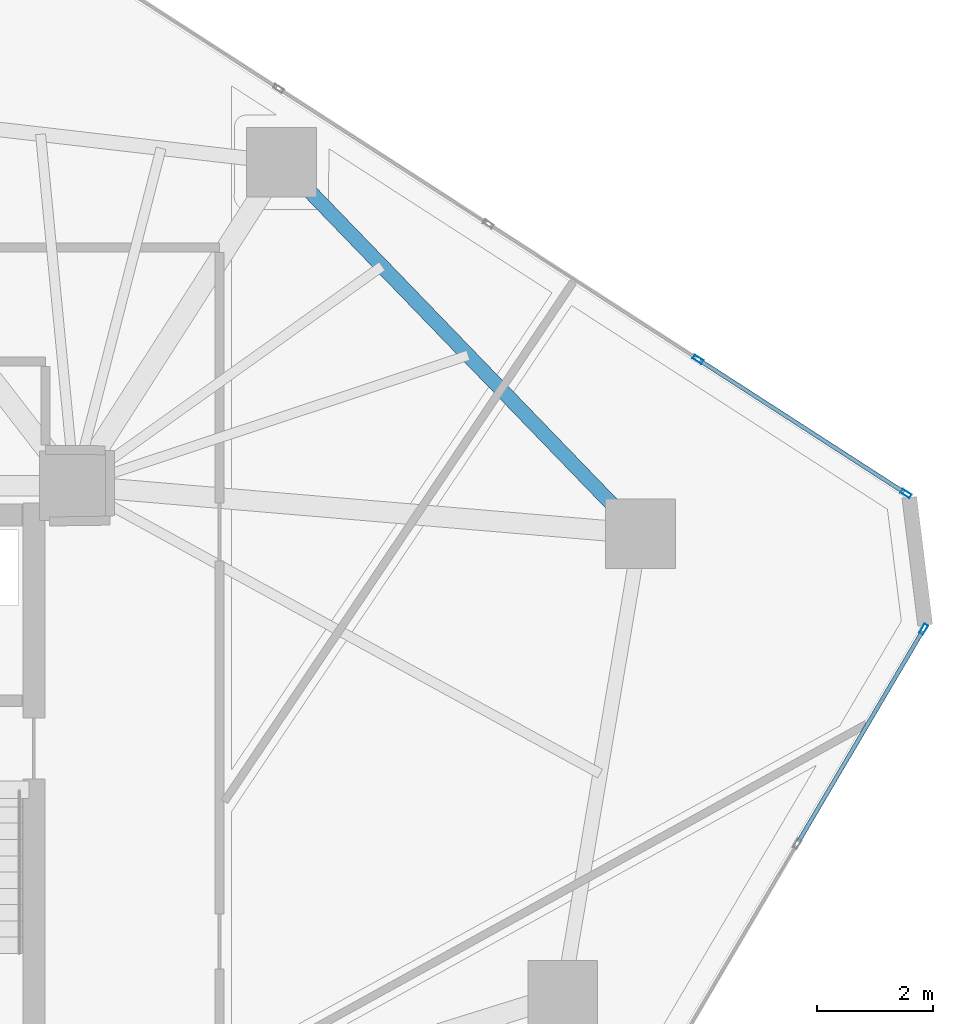
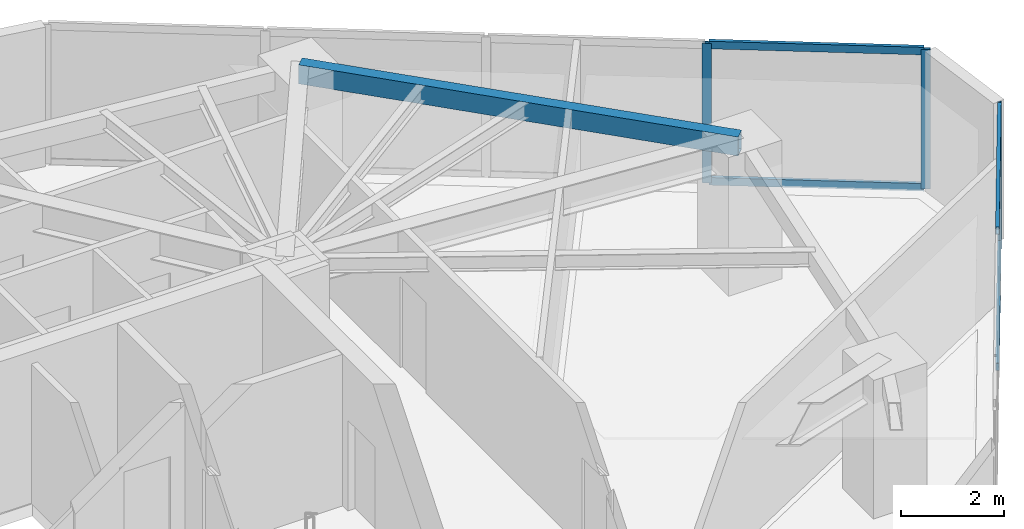
# One storey, part 11 of 20: 7 members, 1 beam, 2 elements without a shape of their own.
"""IFC4 building model written with IfcOpenShell, lengths in metres."""

from ifc_helpers import new_model, si_unit, direction, frame, origin, origin_2d, place, context, subcontext, project, spatial, hollow_rectangle, extrude, source, transform, mapped, material, layer, layer_set, material_profile, profile_set, type_object, type_shapes, element, aggregate, save


model = new_model("IFC4")

# Units and contexts
model_context = context("Model", 3, precision=1e-05, world=origin(), true_north=direction((0.0, 1.0)))
body_context = subcontext(model_context, "Body", "Model", "MODEL_VIEW")
ifc_project = project(units=[si_unit("LENGTHUNIT", "METRE"), si_unit("AREAUNIT", "SQUARE_METRE"), si_unit("VOLUMEUNIT", "CUBIC_METRE"), si_unit("PLANEANGLEUNIT", "RADIAN"), si_unit("MASSUNIT", "GRAM", prefix="KILO")], contexts=[model_context])

# Site, building, storey
site_placement = place(None, origin())
site = spatial("IfcSite", under=ifc_project, at=site_placement, CompositionType="ELEMENT")
building_placement = place(site_placement, origin())
building = spatial("IfcBuilding", under=site, at=building_placement, Name="Talar Marvaseh", CompositionType="ELEMENT")
storey_placement = place(building_placement, frame((0.0, 0.0, 136.199951171875)))
storey = spatial("IfcBuildingStorey", under=building, at=storey_placement, Name="L35", CompositionType="ELEMENT", Elevation=136.199951171875)

# Beam
ifc_material_1 = material(Name="Steel S355", Category="steel")
ifc_material_profile_1 = material_profile(ifc_material_1, hollow_rectangle(XDim=0.25, YDim=0.449951171875, WallThickness=0.01611328125, at=origin_2d()), Name="RHS450x250x16")
ifc_profile_set_1 = profile_set([ifc_material_profile_1], Name="Steel S355")
beam_type = type_object("IfcBeamType", Name="Zone 2 Perimeter Spandrel Beam RHS450x250x16", PredefinedType="SPANDREL", material=ifc_profile_set_1)
beam_placement = place(storey_placement, frame((36.865966796875, 42.470947265625, 3.0849609375), z_axis=(0.694796856243, -0.719206040405, 0.0), x_axis=(0.719206040405, 0.694796856243, 0.0)))
element("IfcBeam", 1, at=beam_placement, inside=storey, type_object=beam_type, Name="L35 Zone 2 Perimeter Spandrel Beam RHS450x250x16", PredefinedType="SPANDREL", context=body_context, shape_type="SweptSolid", body=[
    extrude(hollow_rectangle(XDim=0.25, YDim=0.449951171875, WallThickness=0.01611328125, at=origin_2d()), origin(), (0.0, 0.0, 1.0), 8.891845703125),
])

# Curtain wall, members
ifc_material_2 = material(Name="Architectural Aluminium", Category="aluminium")
ifc_layer = layer(ifc_material_2, 0.199951171875)
ifc_layer_set = layer_set([ifc_layer], Name="Architectural Aluminium")
curtain_wall_type = type_object("IfcCurtainWallType", Name="Unitised Acoustic Library Curtain Wall Z2", PredefinedType="NOTDEFINED", material=ifc_layer_set)
curtain_wall_1_placement = place(storey_placement, origin())
curtain_wall_1 = element("IfcCurtainWall", 2, at=curtain_wall_1_placement, inside=storey, type_object=curtain_wall_type, Name="L35 Unitised Acoustic Library Curtain Wall Z2", PredefinedType="NOTDEFINED")
ifc_material_profile_2 = material_profile(ifc_material_2, hollow_rectangle(XDim=0.074951171875, YDim=0.179931640625, WallThickness=0.0048828125, at=origin_2d()), Name="RHS180x75x5")
ifc_profile_set_2 = profile_set([ifc_material_profile_2], Name="Architectural Aluminium")
member_type_1 = type_object("IfcMemberType", Name="Unitised Curtain Wall Standard Mullion RHS180x75x5", PredefinedType="MULLION", material=ifc_profile_set_2)
shared_shape_1 = source(origin(), body_context, "Body", "SweptSolid", [
    extrude(hollow_rectangle(XDim=0.074951171875, YDim=0.179931640625, WallThickness=0.0048828125, at=origin_2d()), origin(), (0.0, 0.0, 1.0), 3.31005859375),
])
type_shapes(member_type_1, [shared_shape_1])
member_1_placement = place(storey_placement, frame((44.036376953125, 39.075439453125, 0.0), z_axis=(0.0, 0.0, 1.0), x_axis=(0.542385863972, 0.840129498686, 0.0)))
member_1 = element("IfcMember", 3, at=member_1_placement, type_object=member_type_1, Name="CW-Z2 mullion 4", PredefinedType="MULLION", context=body_context, shape_type="MappedRepresentation", body=[
    mapped(shared_shape_1, transform((0.0, 0.0, 0.0), x_axis=(1.0, 0.0, 0.0), y_axis=(0.0, 1.0, 0.0), z_axis=(0.0, 0.0, 1.0), scale=1.0)),
])
member_2_placement = place(storey_placement, frame((47.61572265625, 36.7646484375, 0.0), z_axis=(0.0, 0.0, 1.0), x_axis=(0.542385863972, 0.840129498686, 0.0)))
member_2 = element("IfcMember", 4, at=member_2_placement, type_object=member_type_1, Name="CW-Z2 mullion 5", PredefinedType="MULLION", context=body_context, shape_type="MappedRepresentation", body=[
    mapped(shared_shape_1, transform((0.0, 0.0, 0.0), x_axis=(1.0, 0.0, 0.0), y_axis=(0.0, 1.0, 0.0), z_axis=(0.0, 0.0, 1.0), scale=1.0)),
])

# Curtain wall, member
curtain_wall_2_placement = place(storey_placement, origin())
curtain_wall_2 = element("IfcCurtainWall", 5, at=curtain_wall_2_placement, inside=storey, type_object=curtain_wall_type, Name="L35 Unitised Acoustic Library Curtain Wall Z2", PredefinedType="NOTDEFINED")
member_3_placement = place(storey_placement, frame((47.92041015625, 34.431396484375, 0.0), z_axis=(0.0, 0.0, 1.0), x_axis=(0.861549987065, -0.507672748715, 0.0)))
member_3 = element("IfcMember", 6, at=member_3_placement, type_object=member_type_1, Name="CW-Z2 mullion 1", PredefinedType="MULLION", context=body_context, shape_type="MappedRepresentation", body=[
    mapped(shared_shape_1, transform((0.0, 0.0, 0.0), x_axis=(1.0, 0.0, 0.0), y_axis=(0.0, 1.0, 0.0), z_axis=(0.0, 0.0, 1.0), scale=1.0)),
])

# Member
ifc_material_profile_3 = material_profile(ifc_material_2, hollow_rectangle(XDim=0.074951171875, YDim=0.179931640625, WallThickness=0.0048828125, at=origin_2d()), Name="RHS180x75x5")
ifc_profile_set_3 = profile_set([ifc_material_profile_3], Name="Architectural Aluminium")
member_type_2 = type_object("IfcMemberType", Name="Unitised Curtain Wall Transom RHS180x75x5", PredefinedType="USERDEFINED", material=ifc_profile_set_3)
shared_shape_2 = source(origin(), body_context, "Body", "SweptSolid", [
    extrude(hollow_rectangle(XDim=0.074951171875, YDim=0.179931640625, WallThickness=0.0048828125, at=origin_2d()), origin(), (0.0, 0.0, 1.0), 4.185302734375),
])
member_4_placement = place(storey_placement, frame((44.06787109375, 39.054931640625, 0.03759765625), z_axis=(0.840144036683, -0.542363344656, 0.0), x_axis=(0.542363344656, 0.840144036683, 0.0)))
member_4 = element("IfcMember", 7, at=member_4_placement, type_object=member_type_2, Name="CW-Z2 transom 4.1", ObjectType="TRANSOM", PredefinedType="USERDEFINED", context=body_context, shape_type="MappedRepresentation", body=[
    mapped(shared_shape_2, transform((0.0, 0.0, 0.0), x_axis=(1.0, 0.0, 0.0), y_axis=(0.0, 1.0, 0.0), z_axis=(0.0, 0.0, 1.0), scale=1.0)),
])

member_5_placement = place(storey_placement, frame((44.06787109375, 39.054931640625, 3.2724609375), z_axis=(0.840144036683, -0.542363344656, 0.0), x_axis=(0.542363344656, 0.840144036683, 0.0)))
member_5 = element("IfcMember", 8, at=member_5_placement, type_object=member_type_2, Name="CW-Z2 transom 4.2", ObjectType="TRANSOM", PredefinedType="USERDEFINED", context=body_context, shape_type="MappedRepresentation", body=[
    mapped(shared_shape_2, transform((0.0, 0.0, 0.0), x_axis=(1.0, 0.0, 0.0), y_axis=(0.0, 1.0, 0.0), z_axis=(0.0, 0.0, 1.0), scale=1.0)),
])

aggregate(curtain_wall_1, [member_1, member_2, member_4, member_5])

shared_shape_3 = source(origin(), body_context, "Body", "SweptSolid", [
    extrude(hollow_rectangle(XDim=0.074951171875, YDim=0.179931640625, WallThickness=0.0048828125, at=origin_2d()), origin(), (0.0, 0.0, 1.0), 4.2109375),
])
type_shapes(member_type_2, [shared_shape_2, shared_shape_3])
member_6_placement = place(storey_placement, frame((47.9013671875, 34.39892578125, 0.03759765625), z_axis=(-0.507701529038, -0.861533027465, 0.0), x_axis=(0.861533027465, -0.507701529038, 0.0)))
member_6 = element("IfcMember", 9, at=member_6_placement, type_object=member_type_2, Name="CW-Z2 transom 1.1", ObjectType="TRANSOM", PredefinedType="USERDEFINED", context=body_context, shape_type="MappedRepresentation", body=[
    mapped(shared_shape_3, transform((0.0, 0.0, 0.0), x_axis=(1.0, 0.0, 0.0), y_axis=(0.0, 1.0, 0.0), z_axis=(0.0, 0.0, 1.0), scale=1.0)),
])

member_7_placement = place(storey_placement, frame((47.9013671875, 34.39892578125, 3.2724609375), z_axis=(-0.507701529038, -0.861533027465, 0.0), x_axis=(0.861533027465, -0.507701529038, 0.0)))
member_7 = element("IfcMember", 10, at=member_7_placement, type_object=member_type_2, Name="CW-Z2 transom 1.2", ObjectType="TRANSOM", PredefinedType="USERDEFINED", context=body_context, shape_type="MappedRepresentation", body=[
    mapped(shared_shape_3, transform((0.0, 0.0, 0.0), x_axis=(1.0, 0.0, 0.0), y_axis=(0.0, 1.0, 0.0), z_axis=(0.0, 0.0, 1.0), scale=1.0)),
])

aggregate(curtain_wall_2, [member_3, member_6, member_7])

save(model, "model.ifc")
